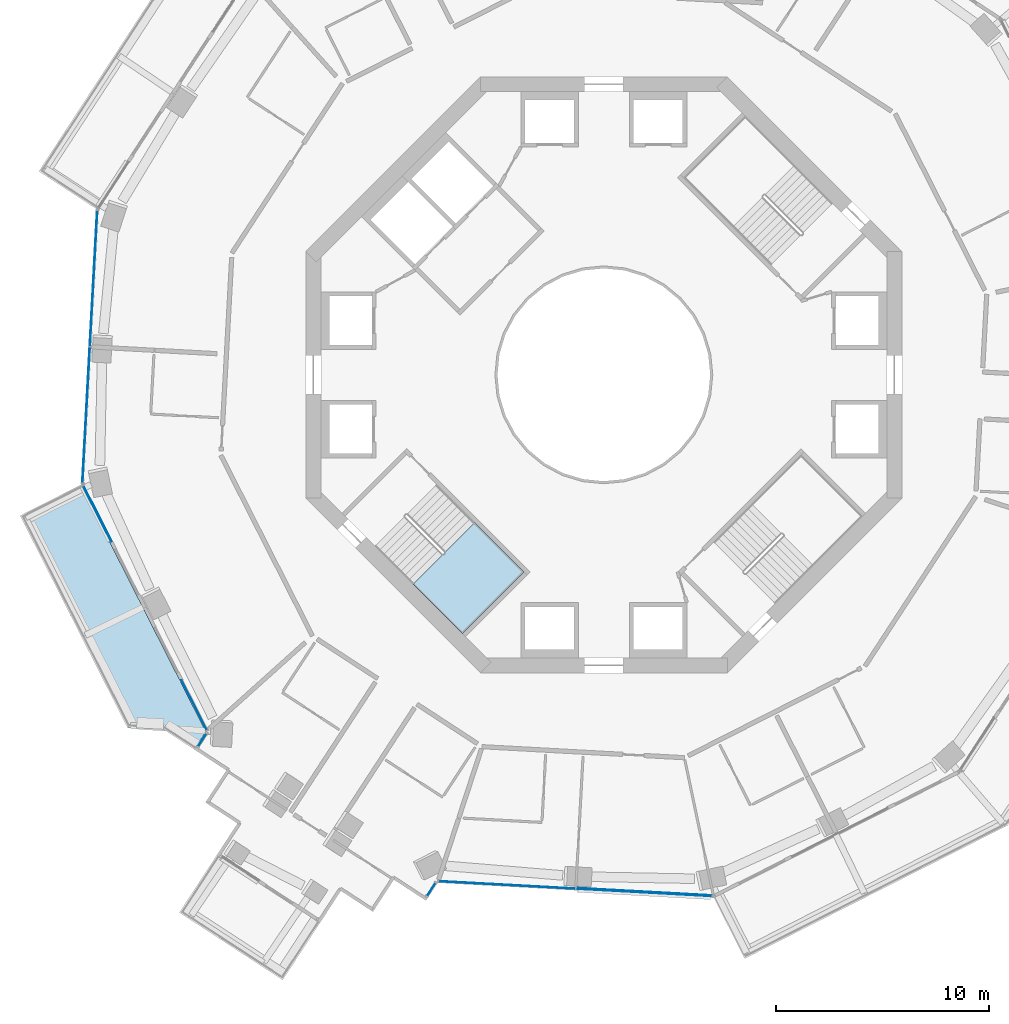
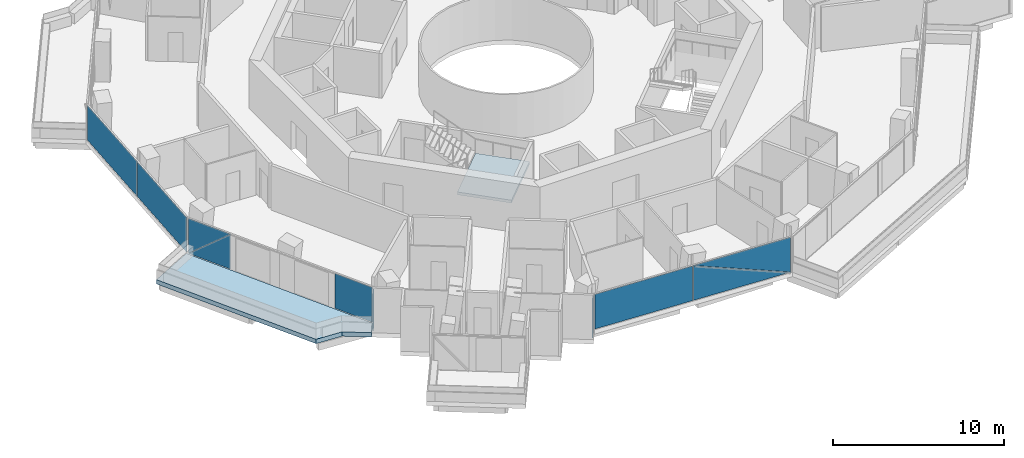
# One storey, part 11 of 23: 10 plates, 2 slabs, 6 elements without a shape of their own.
"""IFC4 building model written with IfcOpenShell, lengths in metres."""

from ifc_helpers import new_model, si_unit, direction, frame, origin, origin_2d, place, context, subcontext, project, spatial, polyline, rectangle, outline, extrude, material, layer, layer_set, type_object, element, aggregate, save


model = new_model("IFC4")

# Units and contexts
model_context = context("Model", 3, precision=1e-05, world=origin(), true_north=direction((0.0, 1.0)))
body_context = subcontext(model_context, "Body", "Model", "MODEL_VIEW")
ifc_project = project(units=[si_unit("LENGTHUNIT", "METRE"), si_unit("AREAUNIT", "SQUARE_METRE"), si_unit("VOLUMEUNIT", "CUBIC_METRE"), si_unit("PLANEANGLEUNIT", "RADIAN"), si_unit("MASSUNIT", "GRAM", prefix="KILO")], contexts=[model_context])

# Site, building, storey
site_placement = place(None, origin())
site = spatial("IfcSite", under=ifc_project, at=site_placement, CompositionType="ELEMENT")
building_placement = place(site_placement, origin())
building = spatial("IfcBuilding", under=site, at=building_placement, Name="Verdalira Terraces Hotel", CompositionType="ELEMENT")
storey_placement = place(building_placement, frame((0.0, 0.0, 143.5)))
storey = spatial("IfcBuildingStorey", under=building, at=storey_placement, Name="L34", CompositionType="ELEMENT", Elevation=143.5)

# Slab
ifc_material_1 = material(Name="Precast concrete C40/50", Category="concrete")
ifc_layer_1 = layer(ifc_material_1, 0.31005859375)
ifc_layer_set_1 = layer_set([ifc_layer_1], Name="Balcony deck 310")
slab_type_1 = type_object("IfcSlabType", Name="Balcony deck 310", PredefinedType="FLOOR", material=ifc_layer_set_1)
slab_1_placement = place(storey_placement, frame((0.0, 0.0, -0.310059)))
element("IfcSlab", 1, at=slab_1_placement, inside=storey, type_object=slab_type_1, Name="Balcony deck", PredefinedType="FLOOR", context=body_context, shape_type="SweptSolid", body=[
    extrude(outline(polyline([(-22.388184, -16.564453), (-20.695557, -16.656494), (-19.244873, -17.603027), (-18.698486, -16.765381), (-24.576172, -5.170166), (-27.43042, -6.616943), (-22.388184, -16.564453)])), origin(), (0.0, 0.0, 1.0), 0.310059),
])

# Curtain wall, plates
ifc_material_2 = material(Name="Clear glass", Category="glass")
ifc_layer_2 = layer(ifc_material_2, 0.14990234375)
ifc_layer_set_2 = layer_set([ifc_layer_2], Name="CW1 curtain wall")
curtain_wall_type_1 = type_object("IfcCurtainWallType", Name="CW1 curtain wall", PredefinedType="NOTDEFINED", material=ifc_layer_set_2)
curtain_wall_1_placement = place(storey_placement, origin())
curtain_wall_1 = element("IfcCurtainWall", 2, at=curtain_wall_1_placement, inside=storey, type_object=curtain_wall_type_1, Name="CW1 curtain wall L34 edge 12", PredefinedType="NOTDEFINED")
ifc_material_3 = material(Name="Clear glass", Category="glass")
ifc_layer_3 = layer(ifc_material_3, 0.028076171875)
ifc_layer_set_3 = layer_set([ifc_layer_3], Name="CW1 glass unit 28")
plate_type_1 = type_object("IfcPlateType", Name="CW1 glass unit 28", PredefinedType="CURTAIN_PANEL", material=ifc_layer_set_3)
plate_1_placement = place(storey_placement, frame((-23.972412, 4.526367, 0.0), z_axis=(0.0, 0.0, 1.0), x_axis=(-0.054427365, -0.998517732, 0.0)))
plate_1 = element("IfcPlate", 3, at=plate_1_placement, type_object=plate_type_1, Name="CW1 glass unit", PredefinedType="CURTAIN_PANEL", context=body_context, shape_type="SweptSolid", body=[
    extrude(rectangle(XDim=6.369873, YDim=0.028076, at=origin_2d()), origin(), (0.0, 0.0, 1.0), 2.475098),
])
plate_2_placement = place(storey_placement, frame((-24.32251, -1.893799, 0.0), z_axis=(0.0, 0.0, 1.0), x_axis=(-0.054427365, -0.998517732, 0.0)))
plate_2 = element("IfcPlate", 4, at=plate_2_placement, type_object=plate_type_1, Name="CW1 glass unit", PredefinedType="CURTAIN_PANEL", context=body_context, shape_type="SweptSolid", body=[
    extrude(rectangle(XDim=6.369873, YDim=0.028076, at=origin_2d()), origin(), (0.0, 0.0, 1.0), 2.475098),
])
aggregate(curtain_wall_1, [plate_1, plate_2])

curtain_wall_2_placement = place(storey_placement, origin())
curtain_wall_2 = element("IfcCurtainWall", 5, at=curtain_wall_2_placement, inside=storey, type_object=curtain_wall_type_1, Name="CW1 curtain wall L34 edge 13", PredefinedType="NOTDEFINED")
plate_3_placement = place(storey_placement, frame((-23.790283, -6.523438, 1.237549), z_axis=(-0.891955405, -0.452123386, 0.0), x_axis=(0.452123386, -0.891955405, 0.0)))
plate_3 = element("IfcPlate", 6, at=plate_3_placement, type_object=plate_type_1, Name="CW1 glass unit", PredefinedType="CURTAIN_PANEL", context=body_context, shape_type="SweptSolid", body=[
    extrude(outline(polyline([(-1.462402, -1.237549), (1.462402, -1.237549), (1.462402, 1.237549), (-1.462402, -1.237549)])), origin(), (0.0, 0.0, 1.0), 0.028076),
])
plate_4_placement = place(storey_placement, frame((-23.764404, -6.510254, 1.237549), z_axis=(-0.891955405, -0.452123386, 0.0), x_axis=(0.452123386, -0.891955405, 0.0)))
plate_4 = element("IfcPlate", 7, at=plate_4_placement, type_object=plate_type_1, Name="CW1 glass unit", PredefinedType="CURTAIN_PANEL", context=body_context, shape_type="SweptSolid", body=[
    extrude(outline(polyline([(-1.462402, -1.237549), (1.462402, 1.237549), (-1.462402, 1.237549), (-1.462402, -1.237549)])), origin(), (0.0, 0.0, 1.0), 0.028076),
])
plate_5_placement = place(storey_placement, frame((-19.247559, -15.516602, 0.0), z_axis=(0.0, 0.0, 1.0), x_axis=(0.452123386, -0.891955405, 0.0)))
plate_5 = element("IfcPlate", 8, at=plate_5_placement, type_object=plate_type_1, Name="CW1 glass unit", PredefinedType="CURTAIN_PANEL", context=body_context, shape_type="SweptSolid", body=[
    extrude(rectangle(XDim=2.604492, YDim=0.028076, at=origin_2d()), origin(), (0.0, 0.0, 1.0), 2.475098),
])
aggregate(curtain_wall_2, [plate_3, plate_4, plate_5])

curtain_wall_3_placement = place(storey_placement, origin())
curtain_wall_3 = element("IfcCurtainWall", 9, at=curtain_wall_3_placement, inside=storey, type_object=curtain_wall_type_1, Name="CW1 curtain wall L34 edge 25", PredefinedType="NOTDEFINED")
plate_6_placement = place(storey_placement, frame((-4.546387, -23.971436, 0.0), z_axis=(0.0, 0.0, 1.0), x_axis=(0.998517732, -0.054427365, 0.0)))
plate_6 = element("IfcPlate", 10, at=plate_6_placement, type_object=plate_type_1, Name="CW1 glass unit", PredefinedType="CURTAIN_PANEL", context=body_context, shape_type="SweptSolid", body=[
    extrude(rectangle(XDim=6.409912, YDim=0.028076, at=origin_2d()), origin(), (0.0, 0.0, 1.0), 2.475098),
])
plate_7_placement = place(storey_placement, frame((1.894531, -24.308594, 1.237549), z_axis=(-0.054427365, -0.998517732, 0.0), x_axis=(0.998517732, -0.054427365, 0.0)))
plate_7 = element("IfcPlate", 11, at=plate_7_placement, type_object=plate_type_1, Name="CW1 glass unit", PredefinedType="CURTAIN_PANEL", context=body_context, shape_type="SweptSolid", body=[
    extrude(outline(polyline([(-3.185059, -1.237549), (3.185059, -1.237549), (-3.185059, 1.237549), (-3.185059, -1.237549)])), origin(), (0.0, 0.0, 1.0), 0.028076),
])
plate_8_placement = place(storey_placement, frame((1.89624, -24.279541, 1.237549), z_axis=(-0.054427365, -0.998517732, 0.0), x_axis=(0.998517732, -0.054427365, 0.0)))
plate_8 = element("IfcPlate", 12, at=plate_8_placement, type_object=plate_type_1, Name="CW1 glass unit", PredefinedType="CURTAIN_PANEL", context=body_context, shape_type="SweptSolid", body=[
    extrude(outline(polyline([(3.185059, -1.237549), (3.185059, 1.237549), (-3.185059, 1.237549), (3.185059, -1.237549)])), origin(), (0.0, 0.0, 1.0), 0.028076),
])
aggregate(curtain_wall_3, [plate_6, plate_7, plate_8])

# Curtain wall, plate
ifc_material_4 = material(Name="Clear glass", Category="glass")
ifc_layer_4 = layer(ifc_material_4, 0.14990234375)
ifc_layer_set_4 = layer_set([ifc_layer_4], Name="CW2 curtain wall")
curtain_wall_type_2 = type_object("IfcCurtainWallType", Name="CW2 curtain wall", PredefinedType="NOTDEFINED", material=ifc_layer_set_4)
curtain_wall_4_placement = place(storey_placement, origin())
curtain_wall_4 = element("IfcCurtainWall", 13, at=curtain_wall_4_placement, inside=storey, type_object=curtain_wall_type_2, Name="CW2 curtain wall L34 edge 14", PredefinedType="NOTDEFINED")
ifc_material_5 = material(Name="Clear glass", Category="glass")
ifc_layer_5 = layer(ifc_material_5, 0.031982421875)
ifc_layer_set_5 = layer_set([ifc_layer_5], Name="CW2 glass unit 32")
plate_type_2 = type_object("IfcPlateType", Name="CW2 glass unit 32", PredefinedType="CURTAIN_PANEL", material=ifc_layer_set_5)
plate_9_placement = place(storey_placement, frame((-18.86792, -17.162354, 0.0), z_axis=(0.0, 0.0, 1.0), x_axis=(-0.546394347, -0.83752804, 0.0)))
plate_9 = element("IfcPlate", 14, at=plate_9_placement, type_object=plate_type_2, Name="CW2 glass unit", PredefinedType="CURTAIN_PANEL", context=body_context, shape_type="SweptSolid", body=[
    extrude(rectangle(XDim=0.709961, YDim=0.031982, at=origin_2d()), origin(), (0.0, 0.0, 1.0), 2.475098),
])
aggregate(curtain_wall_4, [plate_9])

curtain_wall_5_placement = place(storey_placement, origin())
curtain_wall_5 = element("IfcCurtainWall", 15, at=curtain_wall_5_placement, inside=storey, type_object=curtain_wall_type_2, Name="CW2 curtain wall L34 edge 24", PredefinedType="NOTDEFINED")
plate_10_placement = place(storey_placement, frame((-8.105713, -24.183594, 0.0), z_axis=(0.0, 0.0, 1.0), x_axis=(0.546394347, 0.83752804, 0.0)))
plate_10 = element("IfcPlate", 16, at=plate_10_placement, type_object=plate_type_2, Name="CW2 glass unit", PredefinedType="CURTAIN_PANEL", context=body_context, shape_type="SweptSolid", body=[
    extrude(rectangle(XDim=0.709961, YDim=0.031982, at=origin_2d()), origin(), (0.0, 0.0, 1.0), 2.475098),
])
aggregate(curtain_wall_5, [plate_10])

# Stair, slab
ifc_material_6 = material(Name="Concrete C40", Category="concrete")
stair_type = type_object("IfcStairType", Name="Core stair 20 risers 2000 mm wide", PredefinedType="HALF_TURN_STAIR", material=ifc_material_6)
stair_placement = place(storey_placement, origin())
stair = element("IfcStair", 17, at=stair_placement, inside=storey, type_object=stair_type, Name="L34 Exit stair ST2", PredefinedType="HALF_TURN_STAIR")
ifc_material_7 = material(Name="Concrete C40", Category="concrete")
ifc_layer_6 = layer(ifc_material_7, 0.199951171875)
ifc_layer_set_6 = layer_set([ifc_layer_6], Name="Core stair landing 200 mm")
slab_type_2 = type_object("IfcSlabType", Name="Core stair landing 200 mm", PredefinedType="LANDING", material=ifc_layer_set_6)
slab_2_placement = place(storey_placement, frame((0.0, 0.0, 1.550049)))
slab_2 = element("IfcSlab", 18, at=slab_2_placement, type_object=slab_type_2, Name="ST2 landing 1", PredefinedType="LANDING", context=body_context, shape_type="SweptSolid", body=[
    extrude(outline(polyline([(-8.966553, -9.842529), (-6.646729, -12.162354), (-3.747559, -9.263184), (-6.067383, -6.943359), (-8.966553, -9.842529)])), origin(), (0.0, 0.0, 1.0), 0.199951),
])
aggregate(stair, [slab_2])

save(model, "model.ifc")
